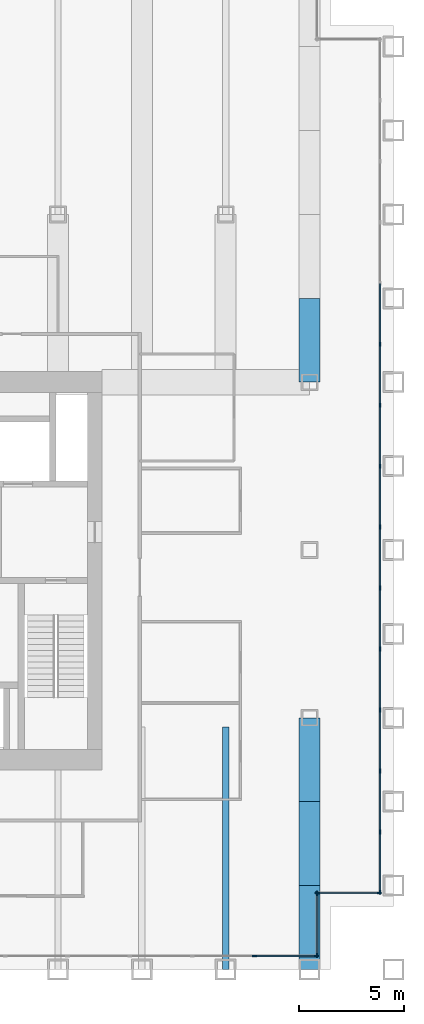
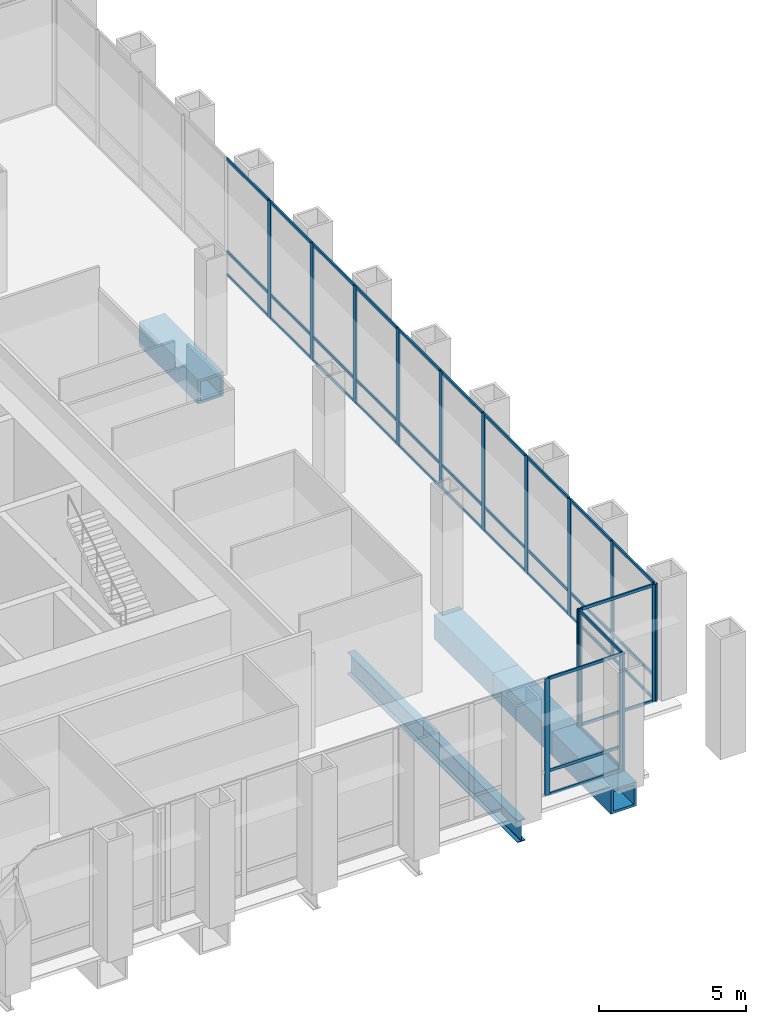
# One storey, part 5 of 13: 53 members, 5 beams, 4 elements without a shape of their own.
"""IFC4 building model written with IfcOpenShell, lengths in metres."""

import ifcopenshell
import ifcopenshell.guid

model = None  # the IFC model being written
_history = None  # IfcOwnerHistory: only IFC2X3 demands one
_inside = {}  # id of a spatial element -> (the spatial element, [elements in it])
_under = {}  # id of a project, library or spatial element -> (it, [spatial elements below it])
_declared = {}  # id of a project -> (the project, [libraries it declares])
_typed = {}  # id of a type object -> (the type object, [elements of that type])
_made_of = {}  # id of a material, layer set ... -> (it, [elements and type objects made of it])


def new_model(schema):
    """Start an empty IFC model of exactly this schema.

    Asked for "IFC4X3", IfcOpenShell would pick the latest addendum, in which some entities
    have other attributes; the version numbers below select the first issue.
    IFC2X3 requires an IfcOwnerHistory on every rooted entity: one is made here for all.
    """
    global model, _history
    if schema == "IFC4X3":
        model = ifcopenshell.file(schema_version=(4, 3, 0, 0))
    else:
        model = ifcopenshell.file(schema=schema)
    _inside.clear()
    _under.clear()
    _declared.clear()
    _typed.clear()
    _made_of.clear()
    _history = None
    if model.schema == "IFC2X3":
        org = make("IfcOrganization", Name="unknown")
        user = make(
            "IfcPersonAndOrganization",
            ThePerson=make("IfcPerson", FamilyName="unknown"),
            TheOrganization=org,
        )
        app = make(
            "IfcApplication",
            ApplicationDeveloper=org,
            Version="unknown",
            ApplicationFullName="unknown",
            ApplicationIdentifier="unknown",
        )
        _history = make(
            "IfcOwnerHistory",
            OwningUser=user,
            OwningApplication=app,
            ChangeAction="ADDED",
            CreationDate=0,
        )
    return model


def make(cls, **values):
    """One entity of the class cls with the attributes given. An attribute that is None is left unset."""
    return model.create_entity(
        cls, **{name: value for name, value in values.items() if value is not None}
    )


def rooted(cls, **values):
    """An entity with a GlobalId (a new one), such as an element, a storey or a relation."""
    return make(cls, GlobalId=ifcopenshell.guid.new(), OwnerHistory=_history, **values)


def si_unit(unit_type, name, prefix=None):
    """IfcSIUnit, for example si_unit("LENGTHUNIT", "METRE", prefix="MILLI")."""
    return make("IfcSIUnit", UnitType=unit_type, Prefix=prefix, Name=name)


def assignment(units):
    """IfcUnitAssignment: the units of a project."""
    return None if units is None else make("IfcUnitAssignment", Units=units)


def point(xyz):
    """IfcCartesianPoint."""
    return None if xyz is None else make("IfcCartesianPoint", Coordinates=xyz)


def direction(xyz):
    """IfcDirection."""
    return None if xyz is None else make("IfcDirection", DirectionRatios=xyz)


def frame(location, z_axis=None, x_axis=None):
    """IfcAxis2Placement3D, a coordinate frame: its origin and axes. An axis left out is left unset."""
    return make(
        "IfcAxis2Placement3D",
        Location=point(location),
        Axis=direction(z_axis),
        RefDirection=direction(x_axis),
    )


def frame_2d(location, x_axis=None):
    """IfcAxis2Placement2D, a coordinate frame in the plane: its origin and x axis."""
    return make(
        "IfcAxis2Placement2D", Location=point(location), RefDirection=direction(x_axis)
    )


def origin():
    """The frame at (0, 0, 0) with its axes left unset."""
    return frame((0.0, 0.0, 0.0))


def origin_2d():
    """The frame at (0, 0) in the plane with its x axis left unset."""
    return frame_2d((0.0, 0.0))


def place(relative_to, where):
    """IfcLocalPlacement: puts the frame where relative to a parent placement (None: the world)."""
    return make(
        "IfcLocalPlacement", PlacementRelTo=relative_to, RelativePlacement=where
    )


def context(
    kind, dimensions, precision=None, world=None, true_north=None, identifier=None
):
    """IfcGeometricRepresentationContext, for example the 3D "Model" context."""
    return make(
        "IfcGeometricRepresentationContext",
        ContextIdentifier=identifier,
        ContextType=kind,
        CoordinateSpaceDimension=dimensions,
        Precision=precision,
        WorldCoordinateSystem=world,
        TrueNorth=true_north,
    )


def subcontext(parent, identifier, kind, view, scale=None):
    """IfcGeometricRepresentationSubContext, for example "Body" below "Model"."""
    return make(
        "IfcGeometricRepresentationSubContext",
        ContextIdentifier=identifier,
        ContextType=kind,
        ParentContext=parent,
        TargetScale=scale,
        TargetView=view,
    )


def project(units=None, contexts=None):
    """IfcProject with its units and contexts."""
    return rooted(
        "IfcProject",
        Name="project",
        RepresentationContexts=contexts,
        UnitsInContext=assignment(units),
    )


def spatial(cls, under=None, at=None, **own):
    """A site, building, storey or space (cls), placed at a placement, below another one or the project."""
    s = rooted(cls, ObjectPlacement=at, **own)
    if under is not None:
        _under.setdefault(under.id(), (under, []))[1].append(s)
    return s


def profile(cls, at=None, kind="AREA", **sizes):
    """A parametric profile (cls). Its sizes go by their IFC names, for example OverallWidth=200.0."""
    return make(cls, ProfileType=kind, Position=at, **sizes)


def rectangle(**sizes):
    """IfcRectangleProfileDef."""
    return profile("IfcRectangleProfileDef", **sizes)


def hollow_rectangle(**sizes):
    """IfcRectangleHollowProfileDef."""
    return profile("IfcRectangleHollowProfileDef", **sizes)


def i_section(**sizes):
    """IfcIShapeProfileDef."""
    return profile("IfcIShapeProfileDef", **sizes)


def extrude(swept, where, along, depth):
    """IfcExtrudedAreaSolid: the profile swept, set in the frame where, extruded along a direction by depth."""
    return make(
        "IfcExtrudedAreaSolid",
        SweptArea=swept,
        Position=where,
        ExtrudedDirection=direction(along),
        Depth=depth,
    )


def shape(context_of_items, identifier, shape_type, items):
    """IfcShapeRepresentation: the items that make up one representation, for example the "Body"."""
    return make(
        "IfcShapeRepresentation",
        ContextOfItems=context_of_items,
        RepresentationIdentifier=identifier,
        RepresentationType=shape_type,
        Items=items,
    )


def material(Name=None, Category=None):
    """IfcMaterial."""
    return make("IfcMaterial", Name=Name, Category=Category)


def material_profile(
    of_material, cross_section, Name=None, Category=None, Priority=None
):
    """IfcMaterialProfile: a cross section and its material."""
    return make(
        "IfcMaterialProfile",
        Name=Name,
        Material=of_material,
        Profile=cross_section,
        Priority=Priority,
        Category=Category,
    )


def profile_set(profiles, Name=None, composite=None):
    """IfcMaterialProfileSet."""
    return make(
        "IfcMaterialProfileSet",
        Name=Name,
        MaterialProfiles=profiles,
        CompositeProfile=composite,
    )


def made_of(thing, what):
    """Note that an element or type object is made of a material, layer set ...; save() writes the relation."""
    if what is not None:
        _made_of.setdefault(what.id(), (what, []))[1].append(thing)
    return thing


def type_object(cls, material=None, **own):
    """A type object (cls), such as IfcWallType, which elements share."""
    return made_of(rooted(cls, **own), material)


def element(
    cls,
    number,
    at=None,
    inside=None,
    cuts=None,
    type_object=None,
    material=None,
    context=None,
    identifier="Body",
    shape_type=None,
    held_by="IfcProductDefinitionShape",
    body=None,
    shapes=None,
    **own,
):
    """One element of the class cls, such as IfcWall. Its Tag is "e" and its number.

    at: its placement. inside: the storey or other place that contains it. cuts: it is an
    opening in that element (IfcRelVoidsElement). A single representation is given by context,
    identifier, shape_type and body (its items); several are given by shapes. held_by: the class
    of the entity that holds the representations. save() writes the other relations.
    """
    e = rooted(cls, Tag="e%d" % number, ObjectPlacement=at, **own)
    if body is not None:
        shapes = [shape(context, identifier, shape_type, body)]
    if shapes is not None:
        e.Representation = make(held_by, Representations=shapes)
    if inside is not None:
        _inside.setdefault(inside.id(), (inside, []))[1].append(e)
    if cuts is not None:
        rooted(
            "IfcRelVoidsElement", RelatingBuildingElement=cuts, RelatedOpeningElement=e
        )
    if type_object is not None:
        _typed.setdefault(type_object.id(), (type_object, []))[1].append(e)
    return made_of(e, material)


def aggregate(whole, parts):
    """IfcRelAggregates: a whole, such as a stair, and the parts it consists of."""
    return rooted("IfcRelAggregates", RelatingObject=whole, RelatedObjects=parts)


def save(model, path):
    """Write the relations noted so far, then the file.

    IfcRelAggregates (storeys below a building ...), IfcRelContainedInSpatialStructure (elements
    in a storey), IfcRelDefinesByType, IfcRelAssociatesMaterial and IfcRelDeclares: one each for
    every whole, place, type object, material and project.
    """
    for whole, parts in _under.values():
        aggregate(whole, parts)
    for where, things in _inside.values():
        rooted(
            "IfcRelContainedInSpatialStructure",
            RelatedElements=things,
            RelatingStructure=where,
        )
    for kind, things in _typed.values():
        rooted("IfcRelDefinesByType", RelatedObjects=things, RelatingType=kind)
    for what, things in _made_of.values():
        rooted("IfcRelAssociatesMaterial", RelatedObjects=things, RelatingMaterial=what)
    for by, libraries in _declared.values():
        rooted("IfcRelDeclares", RelatingContext=by, RelatedDefinitions=libraries)
    model.write(path)


model = new_model("IFC4")

# Units and contexts
model_context = context("Model", 3, precision=1e-05, world=origin(), true_north=direction((0.0, 1.0)))
body_context = subcontext(model_context, "Body", "Model", "MODEL_VIEW")
ifc_project = project(units=[si_unit("LENGTHUNIT", "METRE"), si_unit("AREAUNIT", "SQUARE_METRE"), si_unit("VOLUMEUNIT", "CUBIC_METRE"), si_unit("PLANEANGLEUNIT", "RADIAN"), si_unit("MASSUNIT", "GRAM", prefix="KILO")], contexts=[model_context])

# Site, building, storey
site_placement = place(None, origin())
site = spatial("IfcSite", under=ifc_project, at=site_placement, CompositionType="ELEMENT")
building_placement = place(site_placement, origin())
building = spatial("IfcBuilding", under=site, at=building_placement, Name="Rimbunsela Tower", CompositionType="ELEMENT")
storey_placement = place(building_placement, frame((0.0, 0.0, 209.199951171875)))
storey = spatial("IfcBuildingStorey", under=building, at=storey_placement, Name="L50", CompositionType="ELEMENT", Elevation=209.199951171875)

# Beams
ifc_material_1 = material(Name="Steel BJ 55 (fy 410 MPa)", Category="steel")
ifc_material_profile_1 = material_profile(ifc_material_1, hollow_rectangle(XDim=1.0, YDim=1.0, WallThickness=0.10009765625, at=origin_2d()), Name="BOX 1000x1000x100")
ifc_profile_set_1 = profile_set([ifc_material_profile_1], Name="Steel BJ 55 (fy 410 MPa)")
beam_type_1 = type_object("IfcBeamType", Name="Beam BOX 1000x1000x100", PredefinedType="BEAM", material=ifc_profile_set_1)
for number, where, z_axis, x_axis, name in (
    (1, (46.0, 8.0, -0.64990234375), (0.0, 1.0, 0.0), (-1.0, 0.0, 0.0), "Beam B3 L50"),
    (2, (46.0, 12.0, -0.64990234375), (0.0, 1.0, 0.0), (-1.0, 0.0, 0.0), "Beam B3 L50"),
    (3, (46.0, 16.0, -0.64990234375), (0.0, 1.0, 0.0), (-1.0, 0.0, 0.0), "Beam B3 L50"),
    (4, (46.0, 36.0, -0.64990234375), (0.0, 1.0, 0.0), (-1.0, 0.0, 0.0), "Beam B3 L50"),
):
    element("IfcBeam", number, at=place(storey_placement, frame(where, z_axis=z_axis, x_axis=x_axis)), inside=storey, type_object=beam_type_1, Name=name, PredefinedType="BEAM", context=body_context, shape_type="SweptSolid", body=[
        extrude(hollow_rectangle(XDim=1.0, YDim=1.0, WallThickness=0.10009765625, at=origin_2d()), origin(), (0.0, 0.0, 1.0), 4.0),
    ])
ifc_material_2 = material(Name="Steel BJ 55 (fy 410 MPa)", Category="steel")
ifc_material_profile_2 = material_profile(ifc_material_2, i_section(OverallWidth=0.300048828125, OverallDepth=0.89990234375, WebThickness=0.01611328125, FlangeThickness=0.028076171875, FilletRadius=0.028076171875, at=origin_2d()), Name="H 900x300x16x28")
ifc_profile_set_2 = profile_set([ifc_material_profile_2], Name="Steel BJ 55 (fy 410 MPa)")
beam_type_2 = type_object("IfcBeamType", Name="Beam H 900x300x16x28", PredefinedType="BEAM", material=ifc_profile_set_2)
beam_placement = place(storey_placement, frame((42.0, 8.0, -0.599853515625), z_axis=(0.0, 1.0, 0.0), x_axis=(-1.0, 0.0, 0.0)))
element("IfcBeam", 5, at=beam_placement, inside=storey, type_object=beam_type_2, Name="Beam B2 L50", PredefinedType="BEAM", context=body_context, shape_type="SweptSolid", body=[
    extrude(i_section(OverallWidth=0.300048828125, OverallDepth=0.89990234375, WebThickness=0.01611328125, FlangeThickness=0.028076171875, FilletRadius=0.028076171875, at=origin_2d()), origin(), (0.0, 0.0, 1.0), 11.550048828125),
])

# Curtain wall, members
ifc_material_3 = material(Name="Aluminium curtain wall", Category="aluminium")
curtain_wall_type_1 = type_object("IfcCurtainWallType", Name="Corner glazing", PredefinedType="USERDEFINED", material=ifc_material_3)
curtain_wall_1_placement = place(storey_placement, origin())
curtain_wall_1 = element("IfcCurtainWall", 6, at=curtain_wall_1_placement, inside=storey, type_object=curtain_wall_type_1, Name="Corner glazing L50", ObjectType="CORNER GLAZING", PredefinedType="USERDEFINED")
ifc_material_4 = material(Name="Aluminium mullion", Category="aluminium")
ifc_material_profile_3 = material_profile(ifc_material_4, rectangle(XDim=0.06005859375, YDim=0.199951171875, at=origin_2d()), Name="Mullion 60x200")
ifc_profile_set_3 = profile_set([ifc_material_profile_3], Name="Aluminium mullion")
member_type_1 = type_object("IfcMemberType", Name="Curtain wall mullion 60x200", PredefinedType="MULLION", material=ifc_profile_set_3)
member_1_placement = place(storey_placement, frame((46.35009765625, 8.679931640625, 0.0), z_axis=(0.0, 0.0, 1.0), x_axis=(-1.0, 0.0, 0.0)))
member_1 = element("IfcMember", 7, at=member_1_placement, type_object=member_type_1, Name="CW5 mullion 1", PredefinedType="MULLION", context=body_context, shape_type="SweptSolid", body=[
    extrude(rectangle(XDim=0.06005859375, YDim=0.199951171875, at=origin_2d()), origin(), (0.0, 0.0, 1.0), 4.85009765625),
])
member_2_placement = place(storey_placement, frame((46.35009765625, 11.6201171875, 0.0), z_axis=(0.0, 0.0, 1.0), x_axis=(-1.0, 0.0, 0.0)))
member_2 = element("IfcMember", 8, at=member_2_placement, type_object=member_type_1, Name="CW5 mullion 2", PredefinedType="MULLION", context=body_context, shape_type="SweptSolid", body=[
    extrude(rectangle(XDim=0.06005859375, YDim=0.199951171875, at=origin_2d()), origin(), (0.0, 0.0, 1.0), 4.85009765625),
])

curtain_wall_2_placement = place(storey_placement, origin())
curtain_wall_2 = element("IfcCurtainWall", 9, at=curtain_wall_2_placement, inside=storey, type_object=curtain_wall_type_1, Name="Corner glazing L50", ObjectType="CORNER GLAZING", PredefinedType="USERDEFINED")
member_3_placement = place(storey_placement, frame((46.3798828125, 11.64990234375, 0.0), z_axis=(0.0, 0.0, 1.0), x_axis=(0.0, 1.0, 0.0)))
member_3 = element("IfcMember", 10, at=member_3_placement, type_object=member_type_1, Name="CW5 mullion 1", PredefinedType="MULLION", context=body_context, shape_type="SweptSolid", body=[
    extrude(rectangle(XDim=0.06005859375, YDim=0.199951171875, at=origin_2d()), origin(), (0.0, 0.0, 1.0), 4.85009765625),
])
member_4_placement = place(storey_placement, frame((49.320068359375, 11.64990234375, 0.0), z_axis=(0.0, 0.0, 1.0), x_axis=(0.0, 1.0, 0.0)))
member_4 = element("IfcMember", 11, at=member_4_placement, type_object=member_type_1, Name="CW5 mullion 2", PredefinedType="MULLION", context=body_context, shape_type="SweptSolid", body=[
    extrude(rectangle(XDim=0.06005859375, YDim=0.199951171875, at=origin_2d()), origin(), (0.0, 0.0, 1.0), 4.85009765625),
])

ifc_material_5 = material(Name="Aluminium curtain wall", Category="aluminium")
curtain_wall_type_2 = type_object("IfcCurtainWallType", Name="Sky lobby glazing", PredefinedType="USERDEFINED", material=ifc_material_5)
curtain_wall_3_placement = place(storey_placement, origin())
curtain_wall_3 = element("IfcCurtainWall", 12, at=curtain_wall_3_placement, inside=storey, type_object=curtain_wall_type_2, Name="Sky lobby glazing L50", ObjectType="SKY LOBBY GLAZING", PredefinedType="USERDEFINED")
member_5_placement = place(storey_placement, frame((49.35009765625, 11.679931640625, 0.0), z_axis=(0.0, 0.0, 1.0), x_axis=(-1.0, 0.0, 0.0)))
member_5 = element("IfcMember", 13, at=member_5_placement, type_object=member_type_1, Name="CW4 mullion 1", PredefinedType="MULLION", context=body_context, shape_type="SweptSolid", body=[
    extrude(rectangle(XDim=0.06005859375, YDim=0.199951171875, at=origin_2d()), origin(), (0.0, 0.0, 1.0), 4.85009765625),
])
member_6_placement = place(storey_placement, frame((49.35009765625, 14.55712890625, 0.0), z_axis=(0.0, 0.0, 1.0), x_axis=(-1.0, 0.0, 0.0)))
member_6 = element("IfcMember", 14, at=member_6_placement, type_object=member_type_1, Name="CW4 mullion 2", PredefinedType="MULLION", context=body_context, shape_type="SweptSolid", body=[
    extrude(rectangle(XDim=0.06005859375, YDim=0.199951171875, at=origin_2d()), origin(), (0.0, 0.0, 1.0), 4.85009765625),
])
member_7_placement = place(storey_placement, frame((49.35009765625, 17.46435546875, 0.0), z_axis=(0.0, 0.0, 1.0), x_axis=(-1.0, 0.0, 0.0)))
member_7 = element("IfcMember", 15, at=member_7_placement, type_object=member_type_1, Name="CW4 mullion 3", PredefinedType="MULLION", context=body_context, shape_type="SweptSolid", body=[
    extrude(rectangle(XDim=0.06005859375, YDim=0.199951171875, at=origin_2d()), origin(), (0.0, 0.0, 1.0), 4.85009765625),
])
member_8_placement = place(storey_placement, frame((49.35009765625, 20.371337890625, 0.0), z_axis=(0.0, 0.0, 1.0), x_axis=(-1.0, 0.0, 0.0)))
member_8 = element("IfcMember", 16, at=member_8_placement, type_object=member_type_1, Name="CW4 mullion 4", PredefinedType="MULLION", context=body_context, shape_type="SweptSolid", body=[
    extrude(rectangle(XDim=0.06005859375, YDim=0.199951171875, at=origin_2d()), origin(), (0.0, 0.0, 1.0), 4.85009765625),
])
member_9_placement = place(storey_placement, frame((49.35009765625, 23.278564453125, 0.0), z_axis=(0.0, 0.0, 1.0), x_axis=(-1.0, 0.0, 0.0)))
member_9 = element("IfcMember", 17, at=member_9_placement, type_object=member_type_1, Name="CW4 mullion 5", PredefinedType="MULLION", context=body_context, shape_type="SweptSolid", body=[
    extrude(rectangle(XDim=0.06005859375, YDim=0.199951171875, at=origin_2d()), origin(), (0.0, 0.0, 1.0), 4.85009765625),
])
member_10_placement = place(storey_placement, frame((49.35009765625, 26.185791015625, 0.0), z_axis=(0.0, 0.0, 1.0), x_axis=(-1.0, 0.0, 0.0)))
member_10 = element("IfcMember", 18, at=member_10_placement, type_object=member_type_1, Name="CW4 mullion 6", PredefinedType="MULLION", context=body_context, shape_type="SweptSolid", body=[
    extrude(rectangle(XDim=0.06005859375, YDim=0.199951171875, at=origin_2d()), origin(), (0.0, 0.0, 1.0), 4.85009765625),
])
member_11_placement = place(storey_placement, frame((49.35009765625, 29.0927734375, 0.0), z_axis=(0.0, 0.0, 1.0), x_axis=(-1.0, 0.0, 0.0)))
member_11 = element("IfcMember", 19, at=member_11_placement, type_object=member_type_1, Name="CW4 mullion 7", PredefinedType="MULLION", context=body_context, shape_type="SweptSolid", body=[
    extrude(rectangle(XDim=0.06005859375, YDim=0.199951171875, at=origin_2d()), origin(), (0.0, 0.0, 1.0), 4.85009765625),
])
member_12_placement = place(storey_placement, frame((49.35009765625, 32.0, 0.0), z_axis=(0.0, 0.0, 1.0), x_axis=(-1.0, 0.0, 0.0)))
member_12 = element("IfcMember", 20, at=member_12_placement, type_object=member_type_1, Name="CW4 mullion 8", PredefinedType="MULLION", context=body_context, shape_type="SweptSolid", body=[
    extrude(rectangle(XDim=0.06005859375, YDim=0.199951171875, at=origin_2d()), origin(), (0.0, 0.0, 1.0), 4.85009765625),
])
member_13_placement = place(storey_placement, frame((49.35009765625, 34.9072265625, 0.0), z_axis=(0.0, 0.0, 1.0), x_axis=(-1.0, 0.0, 0.0)))
member_13 = element("IfcMember", 21, at=member_13_placement, type_object=member_type_1, Name="CW4 mullion 9", PredefinedType="MULLION", context=body_context, shape_type="SweptSolid", body=[
    extrude(rectangle(XDim=0.06005859375, YDim=0.199951171875, at=origin_2d()), origin(), (0.0, 0.0, 1.0), 4.85009765625),
])
member_14_placement = place(storey_placement, frame((49.35009765625, 37.814208984375, 0.0), z_axis=(0.0, 0.0, 1.0), x_axis=(-1.0, 0.0, 0.0)))
member_14 = element("IfcMember", 22, at=member_14_placement, type_object=member_type_1, Name="CW4 mullion 10", PredefinedType="MULLION", context=body_context, shape_type="SweptSolid", body=[
    extrude(rectangle(XDim=0.06005859375, YDim=0.199951171875, at=origin_2d()), origin(), (0.0, 0.0, 1.0), 4.85009765625),
])

curtain_wall_4_placement = place(storey_placement, origin())
curtain_wall_4 = element("IfcCurtainWall", 23, at=curtain_wall_4_placement, inside=storey, type_object=curtain_wall_type_2, Name="Sky lobby glazing L50", ObjectType="SKY LOBBY GLAZING", PredefinedType="USERDEFINED")
member_15_placement = place(storey_placement, frame((43.377197265625, 8.64990234375, 0.0), z_axis=(0.0, 0.0, 1.0), x_axis=(0.0, 1.0, 0.0)))
member_15 = element("IfcMember", 24, at=member_15_placement, type_object=member_type_1, Name="CW4 mullion 11", PredefinedType="MULLION", context=body_context, shape_type="SweptSolid", body=[
    extrude(rectangle(XDim=0.06005859375, YDim=0.199951171875, at=origin_2d()), origin(), (0.0, 0.0, 1.0), 4.85009765625),
])
member_16_placement = place(storey_placement, frame((46.320068359375, 8.64990234375, 0.0), z_axis=(0.0, 0.0, 1.0), x_axis=(0.0, 1.0, 0.0)))
member_16 = element("IfcMember", 25, at=member_16_placement, type_object=member_type_1, Name="CW4 mullion 12", PredefinedType="MULLION", context=body_context, shape_type="SweptSolid", body=[
    extrude(rectangle(XDim=0.06005859375, YDim=0.199951171875, at=origin_2d()), origin(), (0.0, 0.0, 1.0), 4.85009765625),
])

# Member
ifc_material_6 = material(Name="Aluminium transom", Category="aluminium")
ifc_material_profile_4 = material_profile(ifc_material_6, rectangle(XDim=0.06005859375, YDim=0.1201171875, at=origin_2d()), Name="Transom 60x120")
ifc_profile_set_4 = profile_set([ifc_material_profile_4], Name="Aluminium transom")
member_type_2 = type_object("IfcMemberType", Name="Curtain wall transom 60x120", PredefinedType="USERDEFINED", material=ifc_profile_set_4)
member_17_placement = place(storey_placement, frame((46.35009765625, 8.7099609375, 0.030029296875), z_axis=(0.0, 1.0, 0.0), x_axis=(-1.0, 0.0, 0.0)))
member_17 = element("IfcMember", 26, at=member_17_placement, type_object=member_type_2, Name="CW5 transom 1.1", ObjectType="TRANSOM", PredefinedType="USERDEFINED", context=body_context, shape_type="SweptSolid", body=[
    extrude(rectangle(XDim=0.06005859375, YDim=0.1201171875, at=origin_2d()), origin(), (0.0, 0.0, 1.0), 2.880126953125),
])

member_18_placement = place(storey_placement, frame((46.35009765625, 8.7099609375, 4.820068359375), z_axis=(0.0, 1.0, 0.0), x_axis=(-1.0, 0.0, 0.0)))
member_18 = element("IfcMember", 27, at=member_18_placement, type_object=member_type_2, Name="CW5 transom 1.2", ObjectType="TRANSOM", PredefinedType="USERDEFINED", context=body_context, shape_type="SweptSolid", body=[
    extrude(rectangle(XDim=0.06005859375, YDim=0.1201171875, at=origin_2d()), origin(), (0.0, 0.0, 1.0), 2.880126953125),
])

aggregate(curtain_wall_1, [member_1, member_2, member_17, member_18])

member_19_placement = place(storey_placement, frame((46.409912109375, 11.64990234375, 0.030029296875), z_axis=(1.0, 0.0, 0.0), x_axis=(0.0, 1.0, 0.0)))
member_19 = element("IfcMember", 28, at=member_19_placement, type_object=member_type_2, Name="CW5 transom 1.1", ObjectType="TRANSOM", PredefinedType="USERDEFINED", context=body_context, shape_type="SweptSolid", body=[
    extrude(rectangle(XDim=0.06005859375, YDim=0.1201171875, at=origin_2d()), origin(), (0.0, 0.0, 1.0), 2.880126953125),
])

member_20_placement = place(storey_placement, frame((46.409912109375, 11.64990234375, 4.820068359375), z_axis=(1.0, 0.0, 0.0), x_axis=(0.0, 1.0, 0.0)))
member_20 = element("IfcMember", 29, at=member_20_placement, type_object=member_type_2, Name="CW5 transom 1.2", ObjectType="TRANSOM", PredefinedType="USERDEFINED", context=body_context, shape_type="SweptSolid", body=[
    extrude(rectangle(XDim=0.06005859375, YDim=0.1201171875, at=origin_2d()), origin(), (0.0, 0.0, 1.0), 2.880126953125),
])

aggregate(curtain_wall_2, [member_3, member_4, member_19, member_20])

member_21_placement = place(storey_placement, frame((49.35009765625, 11.7099609375, 0.030029296875), z_axis=(0.0, 1.0, 0.0), x_axis=(-1.0, 0.0, 0.0)))
member_21 = element("IfcMember", 30, at=member_21_placement, type_object=member_type_2, Name="CW4 transom 1.1", ObjectType="TRANSOM", PredefinedType="USERDEFINED", context=body_context, shape_type="SweptSolid", body=[
    extrude(rectangle(XDim=0.06005859375, YDim=0.1201171875, at=origin_2d()), origin(), (0.0, 0.0, 1.0), 2.817138671875),
])

member_22_placement = place(storey_placement, frame((49.35009765625, 11.7099609375, 1.0), z_axis=(0.0, 1.0, 0.0), x_axis=(-1.0, 0.0, 0.0)))
member_22 = element("IfcMember", 31, at=member_22_placement, type_object=member_type_2, Name="CW4 transom 1.2", ObjectType="TRANSOM", PredefinedType="USERDEFINED", context=body_context, shape_type="SweptSolid", body=[
    extrude(rectangle(XDim=0.06005859375, YDim=0.1201171875, at=origin_2d()), origin(), (0.0, 0.0, 1.0), 2.817138671875),
])

member_23_placement = place(storey_placement, frame((49.35009765625, 11.7099609375, 4.820068359375), z_axis=(0.0, 1.0, 0.0), x_axis=(-1.0, 0.0, 0.0)))
member_23 = element("IfcMember", 32, at=member_23_placement, type_object=member_type_2, Name="CW4 transom 1.3", ObjectType="TRANSOM", PredefinedType="USERDEFINED", context=body_context, shape_type="SweptSolid", body=[
    extrude(rectangle(XDim=0.06005859375, YDim=0.1201171875, at=origin_2d()), origin(), (0.0, 0.0, 1.0), 2.817138671875),
])

member_24_placement = place(storey_placement, frame((49.35009765625, 14.587158203125, 0.030029296875), z_axis=(0.0, 1.0, 0.0), x_axis=(-1.0, 0.0, 0.0)))
member_24 = element("IfcMember", 33, at=member_24_placement, type_object=member_type_2, Name="CW4 transom 2.1", ObjectType="TRANSOM", PredefinedType="USERDEFINED", context=body_context, shape_type="SweptSolid", body=[
    extrude(rectangle(XDim=0.06005859375, YDim=0.1201171875, at=origin_2d()), origin(), (0.0, 0.0, 1.0), 2.84716796875),
])

member_25_placement = place(storey_placement, frame((49.35009765625, 14.587158203125, 1.0), z_axis=(0.0, 1.0, 0.0), x_axis=(-1.0, 0.0, 0.0)))
member_25 = element("IfcMember", 34, at=member_25_placement, type_object=member_type_2, Name="CW4 transom 2.2", ObjectType="TRANSOM", PredefinedType="USERDEFINED", context=body_context, shape_type="SweptSolid", body=[
    extrude(rectangle(XDim=0.06005859375, YDim=0.1201171875, at=origin_2d()), origin(), (0.0, 0.0, 1.0), 2.84716796875),
])

member_26_placement = place(storey_placement, frame((49.35009765625, 14.587158203125, 4.820068359375), z_axis=(0.0, 1.0, 0.0), x_axis=(-1.0, 0.0, 0.0)))
member_26 = element("IfcMember", 35, at=member_26_placement, type_object=member_type_2, Name="CW4 transom 2.3", ObjectType="TRANSOM", PredefinedType="USERDEFINED", context=body_context, shape_type="SweptSolid", body=[
    extrude(rectangle(XDim=0.06005859375, YDim=0.1201171875, at=origin_2d()), origin(), (0.0, 0.0, 1.0), 2.84716796875),
])

member_27_placement = place(storey_placement, frame((49.35009765625, 17.494384765625, 0.030029296875), z_axis=(0.0, 1.0, 0.0), x_axis=(-1.0, 0.0, 0.0)))
member_27 = element("IfcMember", 36, at=member_27_placement, type_object=member_type_2, Name="CW4 transom 3.1", ObjectType="TRANSOM", PredefinedType="USERDEFINED", context=body_context, shape_type="SweptSolid", body=[
    extrude(rectangle(XDim=0.06005859375, YDim=0.1201171875, at=origin_2d()), origin(), (0.0, 0.0, 1.0), 2.846923828125),
])

member_28_placement = place(storey_placement, frame((49.35009765625, 17.494384765625, 1.0), z_axis=(0.0, 1.0, 0.0), x_axis=(-1.0, 0.0, 0.0)))
member_28 = element("IfcMember", 37, at=member_28_placement, type_object=member_type_2, Name="CW4 transom 3.2", ObjectType="TRANSOM", PredefinedType="USERDEFINED", context=body_context, shape_type="SweptSolid", body=[
    extrude(rectangle(XDim=0.06005859375, YDim=0.1201171875, at=origin_2d()), origin(), (0.0, 0.0, 1.0), 2.846923828125),
])

member_29_placement = place(storey_placement, frame((49.35009765625, 17.494384765625, 4.820068359375), z_axis=(0.0, 1.0, 0.0), x_axis=(-1.0, 0.0, 0.0)))
member_29 = element("IfcMember", 38, at=member_29_placement, type_object=member_type_2, Name="CW4 transom 3.3", ObjectType="TRANSOM", PredefinedType="USERDEFINED", context=body_context, shape_type="SweptSolid", body=[
    extrude(rectangle(XDim=0.06005859375, YDim=0.1201171875, at=origin_2d()), origin(), (0.0, 0.0, 1.0), 2.846923828125),
])

member_30_placement = place(storey_placement, frame((49.35009765625, 20.4013671875, 0.030029296875), z_axis=(0.0, 1.0, 0.0), x_axis=(-1.0, 0.0, 0.0)))
member_30 = element("IfcMember", 39, at=member_30_placement, type_object=member_type_2, Name="CW4 transom 4.1", ObjectType="TRANSOM", PredefinedType="USERDEFINED", context=body_context, shape_type="SweptSolid", body=[
    extrude(rectangle(XDim=0.06005859375, YDim=0.1201171875, at=origin_2d()), origin(), (0.0, 0.0, 1.0), 2.84716796875),
])

member_31_placement = place(storey_placement, frame((49.35009765625, 20.4013671875, 1.0), z_axis=(0.0, 1.0, 0.0), x_axis=(-1.0, 0.0, 0.0)))
member_31 = element("IfcMember", 40, at=member_31_placement, type_object=member_type_2, Name="CW4 transom 4.2", ObjectType="TRANSOM", PredefinedType="USERDEFINED", context=body_context, shape_type="SweptSolid", body=[
    extrude(rectangle(XDim=0.06005859375, YDim=0.1201171875, at=origin_2d()), origin(), (0.0, 0.0, 1.0), 2.84716796875),
])

member_32_placement = place(storey_placement, frame((49.35009765625, 20.4013671875, 4.820068359375), z_axis=(0.0, 1.0, 0.0), x_axis=(-1.0, 0.0, 0.0)))
member_32 = element("IfcMember", 41, at=member_32_placement, type_object=member_type_2, Name="CW4 transom 4.3", ObjectType="TRANSOM", PredefinedType="USERDEFINED", context=body_context, shape_type="SweptSolid", body=[
    extrude(rectangle(XDim=0.06005859375, YDim=0.1201171875, at=origin_2d()), origin(), (0.0, 0.0, 1.0), 2.84716796875),
])

member_33_placement = place(storey_placement, frame((49.35009765625, 23.30859375, 0.030029296875), z_axis=(0.0, 1.0, 0.0), x_axis=(-1.0, 0.0, 0.0)))
member_33 = element("IfcMember", 42, at=member_33_placement, type_object=member_type_2, Name="CW4 transom 5.1", ObjectType="TRANSOM", PredefinedType="USERDEFINED", context=body_context, shape_type="SweptSolid", body=[
    extrude(rectangle(XDim=0.06005859375, YDim=0.1201171875, at=origin_2d()), origin(), (0.0, 0.0, 1.0), 2.84716796875),
])

member_34_placement = place(storey_placement, frame((49.35009765625, 23.30859375, 1.0), z_axis=(0.0, 1.0, 0.0), x_axis=(-1.0, 0.0, 0.0)))
member_34 = element("IfcMember", 43, at=member_34_placement, type_object=member_type_2, Name="CW4 transom 5.2", ObjectType="TRANSOM", PredefinedType="USERDEFINED", context=body_context, shape_type="SweptSolid", body=[
    extrude(rectangle(XDim=0.06005859375, YDim=0.1201171875, at=origin_2d()), origin(), (0.0, 0.0, 1.0), 2.84716796875),
])

member_35_placement = place(storey_placement, frame((49.35009765625, 23.30859375, 4.820068359375), z_axis=(0.0, 1.0, 0.0), x_axis=(-1.0, 0.0, 0.0)))
member_35 = element("IfcMember", 44, at=member_35_placement, type_object=member_type_2, Name="CW4 transom 5.3", ObjectType="TRANSOM", PredefinedType="USERDEFINED", context=body_context, shape_type="SweptSolid", body=[
    extrude(rectangle(XDim=0.06005859375, YDim=0.1201171875, at=origin_2d()), origin(), (0.0, 0.0, 1.0), 2.84716796875),
])

member_36_placement = place(storey_placement, frame((49.35009765625, 26.2158203125, 0.030029296875), z_axis=(0.0, 1.0, 0.0), x_axis=(-1.0, 0.0, 0.0)))
member_36 = element("IfcMember", 45, at=member_36_placement, type_object=member_type_2, Name="CW4 transom 6.1", ObjectType="TRANSOM", PredefinedType="USERDEFINED", context=body_context, shape_type="SweptSolid", body=[
    extrude(rectangle(XDim=0.06005859375, YDim=0.1201171875, at=origin_2d()), origin(), (0.0, 0.0, 1.0), 2.846923828125),
])

member_37_placement = place(storey_placement, frame((49.35009765625, 26.2158203125, 1.0), z_axis=(0.0, 1.0, 0.0), x_axis=(-1.0, 0.0, 0.0)))
member_37 = element("IfcMember", 46, at=member_37_placement, type_object=member_type_2, Name="CW4 transom 6.2", ObjectType="TRANSOM", PredefinedType="USERDEFINED", context=body_context, shape_type="SweptSolid", body=[
    extrude(rectangle(XDim=0.06005859375, YDim=0.1201171875, at=origin_2d()), origin(), (0.0, 0.0, 1.0), 2.846923828125),
])

member_38_placement = place(storey_placement, frame((49.35009765625, 26.2158203125, 4.820068359375), z_axis=(0.0, 1.0, 0.0), x_axis=(-1.0, 0.0, 0.0)))
member_38 = element("IfcMember", 47, at=member_38_placement, type_object=member_type_2, Name="CW4 transom 6.3", ObjectType="TRANSOM", PredefinedType="USERDEFINED", context=body_context, shape_type="SweptSolid", body=[
    extrude(rectangle(XDim=0.06005859375, YDim=0.1201171875, at=origin_2d()), origin(), (0.0, 0.0, 1.0), 2.846923828125),
])

member_39_placement = place(storey_placement, frame((49.35009765625, 29.122802734375, 0.030029296875), z_axis=(0.0, 1.0, 0.0), x_axis=(-1.0, 0.0, 0.0)))
member_39 = element("IfcMember", 48, at=member_39_placement, type_object=member_type_2, Name="CW4 transom 7.1", ObjectType="TRANSOM", PredefinedType="USERDEFINED", context=body_context, shape_type="SweptSolid", body=[
    extrude(rectangle(XDim=0.06005859375, YDim=0.1201171875, at=origin_2d()), origin(), (0.0, 0.0, 1.0), 2.84716796875),
])

member_40_placement = place(storey_placement, frame((49.35009765625, 29.122802734375, 1.0), z_axis=(0.0, 1.0, 0.0), x_axis=(-1.0, 0.0, 0.0)))
member_40 = element("IfcMember", 49, at=member_40_placement, type_object=member_type_2, Name="CW4 transom 7.2", ObjectType="TRANSOM", PredefinedType="USERDEFINED", context=body_context, shape_type="SweptSolid", body=[
    extrude(rectangle(XDim=0.06005859375, YDim=0.1201171875, at=origin_2d()), origin(), (0.0, 0.0, 1.0), 2.84716796875),
])

member_41_placement = place(storey_placement, frame((49.35009765625, 29.122802734375, 4.820068359375), z_axis=(0.0, 1.0, 0.0), x_axis=(-1.0, 0.0, 0.0)))
member_41 = element("IfcMember", 50, at=member_41_placement, type_object=member_type_2, Name="CW4 transom 7.3", ObjectType="TRANSOM", PredefinedType="USERDEFINED", context=body_context, shape_type="SweptSolid", body=[
    extrude(rectangle(XDim=0.06005859375, YDim=0.1201171875, at=origin_2d()), origin(), (0.0, 0.0, 1.0), 2.84716796875),
])

member_42_placement = place(storey_placement, frame((49.35009765625, 32.030029296875, 0.030029296875), z_axis=(0.0, 1.0, 0.0), x_axis=(-1.0, 0.0, 0.0)))
member_42 = element("IfcMember", 51, at=member_42_placement, type_object=member_type_2, Name="CW4 transom 8.1", ObjectType="TRANSOM", PredefinedType="USERDEFINED", context=body_context, shape_type="SweptSolid", body=[
    extrude(rectangle(XDim=0.06005859375, YDim=0.1201171875, at=origin_2d()), origin(), (0.0, 0.0, 1.0), 2.84716796875),
])

member_43_placement = place(storey_placement, frame((49.35009765625, 32.030029296875, 1.0), z_axis=(0.0, 1.0, 0.0), x_axis=(-1.0, 0.0, 0.0)))
member_43 = element("IfcMember", 52, at=member_43_placement, type_object=member_type_2, Name="CW4 transom 8.2", ObjectType="TRANSOM", PredefinedType="USERDEFINED", context=body_context, shape_type="SweptSolid", body=[
    extrude(rectangle(XDim=0.06005859375, YDim=0.1201171875, at=origin_2d()), origin(), (0.0, 0.0, 1.0), 2.84716796875),
])

member_44_placement = place(storey_placement, frame((49.35009765625, 32.030029296875, 4.820068359375), z_axis=(0.0, 1.0, 0.0), x_axis=(-1.0, 0.0, 0.0)))
member_44 = element("IfcMember", 53, at=member_44_placement, type_object=member_type_2, Name="CW4 transom 8.3", ObjectType="TRANSOM", PredefinedType="USERDEFINED", context=body_context, shape_type="SweptSolid", body=[
    extrude(rectangle(XDim=0.06005859375, YDim=0.1201171875, at=origin_2d()), origin(), (0.0, 0.0, 1.0), 2.84716796875),
])

member_45_placement = place(storey_placement, frame((49.35009765625, 34.937255859375, 0.030029296875), z_axis=(0.0, 1.0, 0.0), x_axis=(-1.0, 0.0, 0.0)))
member_45 = element("IfcMember", 54, at=member_45_placement, type_object=member_type_2, Name="CW4 transom 9.1", ObjectType="TRANSOM", PredefinedType="USERDEFINED", context=body_context, shape_type="SweptSolid", body=[
    extrude(rectangle(XDim=0.06005859375, YDim=0.1201171875, at=origin_2d()), origin(), (0.0, 0.0, 1.0), 2.846923828125),
])

member_46_placement = place(storey_placement, frame((49.35009765625, 34.937255859375, 1.0), z_axis=(0.0, 1.0, 0.0), x_axis=(-1.0, 0.0, 0.0)))
member_46 = element("IfcMember", 55, at=member_46_placement, type_object=member_type_2, Name="CW4 transom 9.2", ObjectType="TRANSOM", PredefinedType="USERDEFINED", context=body_context, shape_type="SweptSolid", body=[
    extrude(rectangle(XDim=0.06005859375, YDim=0.1201171875, at=origin_2d()), origin(), (0.0, 0.0, 1.0), 2.846923828125),
])

member_47_placement = place(storey_placement, frame((49.35009765625, 34.937255859375, 4.820068359375), z_axis=(0.0, 1.0, 0.0), x_axis=(-1.0, 0.0, 0.0)))
member_47 = element("IfcMember", 56, at=member_47_placement, type_object=member_type_2, Name="CW4 transom 9.3", ObjectType="TRANSOM", PredefinedType="USERDEFINED", context=body_context, shape_type="SweptSolid", body=[
    extrude(rectangle(XDim=0.06005859375, YDim=0.1201171875, at=origin_2d()), origin(), (0.0, 0.0, 1.0), 2.846923828125),
])

member_48_placement = place(storey_placement, frame((49.35009765625, 37.84423828125, 0.030029296875), z_axis=(0.0, 1.0, 0.0), x_axis=(-1.0, 0.0, 0.0)))
member_48 = element("IfcMember", 57, at=member_48_placement, type_object=member_type_2, Name="CW4 transom 10.1", ObjectType="TRANSOM", PredefinedType="USERDEFINED", context=body_context, shape_type="SweptSolid", body=[
    extrude(rectangle(XDim=0.06005859375, YDim=0.1201171875, at=origin_2d()), origin(), (0.0, 0.0, 1.0), 2.84716796875),
])

member_49_placement = place(storey_placement, frame((49.35009765625, 37.84423828125, 1.0), z_axis=(0.0, 1.0, 0.0), x_axis=(-1.0, 0.0, 0.0)))
member_49 = element("IfcMember", 58, at=member_49_placement, type_object=member_type_2, Name="CW4 transom 10.2", ObjectType="TRANSOM", PredefinedType="USERDEFINED", context=body_context, shape_type="SweptSolid", body=[
    extrude(rectangle(XDim=0.06005859375, YDim=0.1201171875, at=origin_2d()), origin(), (0.0, 0.0, 1.0), 2.84716796875),
])

member_50_placement = place(storey_placement, frame((49.35009765625, 37.84423828125, 4.820068359375), z_axis=(0.0, 1.0, 0.0), x_axis=(-1.0, 0.0, 0.0)))
member_50 = element("IfcMember", 59, at=member_50_placement, type_object=member_type_2, Name="CW4 transom 10.3", ObjectType="TRANSOM", PredefinedType="USERDEFINED", context=body_context, shape_type="SweptSolid", body=[
    extrude(rectangle(XDim=0.06005859375, YDim=0.1201171875, at=origin_2d()), origin(), (0.0, 0.0, 1.0), 2.84716796875),
])

aggregate(curtain_wall_3, [member_5, member_6, member_7, member_8, member_9, member_10, member_11, member_12, member_13, member_14, member_21, member_22, member_23, member_24, member_25, member_26, member_27, member_28, member_29, member_30, member_31, member_32, member_33, member_34, member_35, member_36, member_37, member_38, member_39, member_40, member_41, member_42, member_43, member_44, member_45, member_46, member_47, member_48, member_49, member_50])

member_51_placement = place(storey_placement, frame((43.4072265625, 8.64990234375, 0.030029296875), z_axis=(1.0, 0.0, 0.0), x_axis=(0.0, 1.0, 0.0)))
member_51 = element("IfcMember", 60, at=member_51_placement, type_object=member_type_2, Name="CW4 transom 11.1", ObjectType="TRANSOM", PredefinedType="USERDEFINED", context=body_context, shape_type="SweptSolid", body=[
    extrude(rectangle(XDim=0.06005859375, YDim=0.1201171875, at=origin_2d()), origin(), (0.0, 0.0, 1.0), 2.8828125),
])

member_52_placement = place(storey_placement, frame((43.4072265625, 8.64990234375, 1.0), z_axis=(1.0, 0.0, 0.0), x_axis=(0.0, 1.0, 0.0)))
member_52 = element("IfcMember", 61, at=member_52_placement, type_object=member_type_2, Name="CW4 transom 11.2", ObjectType="TRANSOM", PredefinedType="USERDEFINED", context=body_context, shape_type="SweptSolid", body=[
    extrude(rectangle(XDim=0.06005859375, YDim=0.1201171875, at=origin_2d()), origin(), (0.0, 0.0, 1.0), 2.8828125),
])

member_53_placement = place(storey_placement, frame((43.4072265625, 8.64990234375, 4.820068359375), z_axis=(1.0, 0.0, 0.0), x_axis=(0.0, 1.0, 0.0)))
member_53 = element("IfcMember", 62, at=member_53_placement, type_object=member_type_2, Name="CW4 transom 11.3", ObjectType="TRANSOM", PredefinedType="USERDEFINED", context=body_context, shape_type="SweptSolid", body=[
    extrude(rectangle(XDim=0.06005859375, YDim=0.1201171875, at=origin_2d()), origin(), (0.0, 0.0, 1.0), 2.8828125),
])

aggregate(curtain_wall_4, [member_15, member_16, member_51, member_52, member_53])

save(model, "model.ifc")
